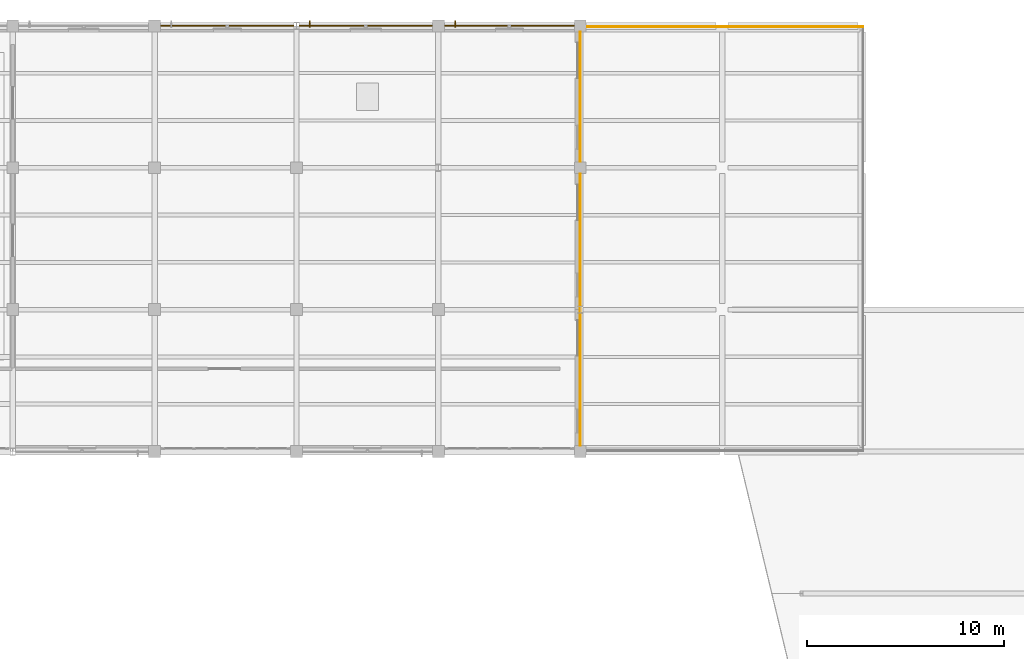
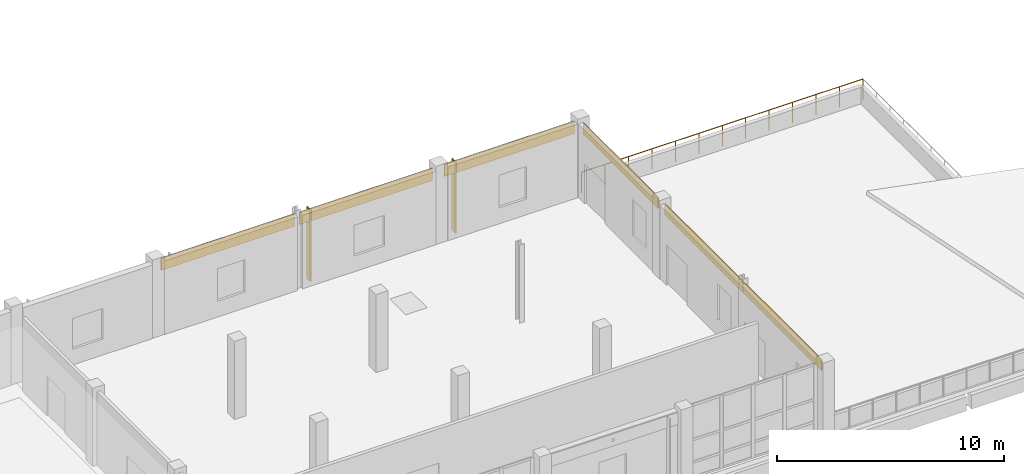
# One storey, part 93 of 94: 6 coverings, 2 shading devices, 1 railing.
"""IFC4 building model written with IfcOpenShell, lengths in metres."""

from ifc_helpers import new_model, si_unit, direction, frame, origin, origin_2d, place, context, subcontext, project, spatial, rectangle, circle, extrude, material, layer, layer_set, type_object, element, save


model = new_model("IFC4")

# Units and contexts
model_context = context("Model", 3, precision=1e-05, world=origin(), true_north=direction((0.0, 1.0)))
body_context = subcontext(model_context, "Body", "Model", "MODEL_VIEW")
ifc_project = project(units=[si_unit("LENGTHUNIT", "METRE"), si_unit("AREAUNIT", "SQUARE_METRE"), si_unit("VOLUMEUNIT", "CUBIC_METRE"), si_unit("PLANEANGLEUNIT", "RADIAN"), si_unit("MASSUNIT", "GRAM", prefix="KILO")], contexts=[model_context])

# Site, building, storey
site_placement = place(None, origin())
site = spatial("IfcSite", under=ifc_project, at=site_placement, CompositionType="ELEMENT")
building_placement = place(site_placement, origin())
building = spatial("IfcBuilding", under=site, at=building_placement, Name="Kalmorath City Hall", CompositionType="ELEMENT")
storey_placement = place(building_placement, frame((0.0, 0.0, 14.699951171875)))
storey = spatial("IfcBuildingStorey", under=building, at=storey_placement, Name="L03", CompositionType="ELEMENT", Elevation=14.699951171875)

# Shading devices
ifc_material_1 = material(Name="Bronze anodised aluminium", Category="aluminium")
ifc_layer_1 = layer(ifc_material_1, 0.06005859375)
ifc_layer_set_1 = layer_set([ifc_layer_1], Name="Bronze anodised aluminium")
shading_device_type = type_object("IfcShadingDeviceType", Name="Bronze vertical solar fin 320", PredefinedType="USERDEFINED", material=ifc_layer_set_1)
for number, where, z_axis, x_axis, name in (
    (1, (101.47802734375, 115.300048828125, 0.050048828125), (0.0, 0.0, 1.0), (1.0, 0.0, 0.0), "L03 bronze solar fin #332"),
    (2, (108.85107421875, 115.300048828125, 0.050048828125), (0.0, 0.0, 1.0), (1.0, 0.0, 0.0), "L03 bronze solar fin #333"),
):
    element("IfcShadingDevice", number, at=place(storey_placement, frame(where, z_axis=z_axis, x_axis=x_axis)), inside=storey, type_object=shading_device_type, Name=name, ObjectType="FIN", PredefinedType="USERDEFINED", context=body_context, shape_type="SweptSolid", body=[
        extrude(rectangle(XDim=0.06005859375, YDim=0.320068359375, at=origin_2d()), origin(), (0.0, 0.0, 1.0), 3.85009765625),
    ])

# Coverings
ifc_material_2 = material(Name="Hardwood timber cladding", Category="wood")
ifc_layer_2 = layer(ifc_material_2, 0.044921875)
ifc_layer_set_2 = layer_set([ifc_layer_2], Name="Hardwood timber cladding")
covering_type_1 = type_object("IfcCoveringType", Name="Hardwood recessed loggia wall cladding", PredefinedType="CLADDING", material=ifc_layer_set_2)
covering_1_placement = place(storey_placement, frame((115.195068359375, 111.60009765625, 3.330078125), z_axis=(0.0, 0.0, 1.0), x_axis=(0.0, -1.0, 0.0)))
element("IfcCovering", 3, at=covering_1_placement, inside=storey, type_object=covering_type_1, Name="L03 timber loggia lining #72", PredefinedType="CLADDING", context=body_context, shape_type="SweptSolid", body=[
    extrude(rectangle(XDim=6.597900390625, YDim=0.044921875, at=origin_2d()), origin(), (0.0, 0.0, 1.0), 0.60009765625),
])
for number, where, z_axis, x_axis, name in (
    (4, (115.195068359375, 104.24951171875, 3.330078125), (0.0, 0.0, 1.0), (0.0, -1.0, 0.0), "L03 timber loggia lining #73"),
    (5, (115.195068359375, 97.3505859375, 3.330078125), (0.0, 0.0, 1.0), (0.0, -1.0, 0.0), "L03 timber loggia lining #74"),
):
    element("IfcCovering", number, at=place(storey_placement, frame(where, z_axis=z_axis, x_axis=x_axis)), inside=storey, type_object=covering_type_1, Name=name, PredefinedType="CLADDING", context=body_context, shape_type="SweptSolid", body=[
        extrude(rectangle(XDim=6.89892578125, YDim=0.044921875, at=origin_2d()), origin(), (0.0, 0.0, 1.0), 0.60009765625),
    ])

# Railing
ifc_material_3 = material(Name="Stainless steel and laminated glass", Category="steel")
railing_type = type_object("IfcRailingType", Name="Outdoor terrace balustrade 1120", PredefinedType="BALUSTRADE", material=ifc_material_3)
railing_placement = place(storey_placement, frame((129.550048828125, 115.14990234375, 0.0)))
element("IfcRailing", 6, at=railing_placement, inside=storey, type_object=railing_type, Name="L03 Committee East Roof Terrace balustrade #7", PredefinedType="BALUSTRADE", context=body_context, shape_type="SweptSolid", body=[
    extrude(circle(Radius=0.02392578125, at=origin_2d()), frame((0.0, 0.0, 1.09619140625), z_axis=(-1.0, 0.0, 0.0), x_axis=(0.0, -1.0, 0.0)), (0.0, 0.0, 1.0), 14.300048828125),
    extrude(circle(Radius=0.02099609375, at=origin_2d()), origin(), (0.0, 0.0, 1.0), 1.072021484375),
    extrude(circle(Radius=0.02099609375, at=origin_2d()), frame((-1.191650390625, 0.0, 0.0)), (0.0, 0.0, 1.0), 1.072021484375),
    extrude(circle(Radius=0.02099609375, at=origin_2d()), frame((-2.38330078125, 0.0, 0.0)), (0.0, 0.0, 1.0), 1.072021484375),
    extrude(circle(Radius=0.02099609375, at=origin_2d()), frame((-3.574951171875, 0.0, 0.0)), (0.0, 0.0, 1.0), 1.072021484375),
    extrude(circle(Radius=0.02099609375, at=origin_2d()), frame((-4.7666015625, 0.0, 0.0)), (0.0, 0.0, 1.0), 1.072021484375),
    extrude(circle(Radius=0.02099609375, at=origin_2d()), frame((-5.958251953125, 0.0, 0.0)), (0.0, 0.0, 1.0), 1.072021484375),
    extrude(circle(Radius=0.02099609375, at=origin_2d()), frame((-7.14990234375, 0.0, 0.0)), (0.0, 0.0, 1.0), 1.072021484375),
    extrude(circle(Radius=0.02099609375, at=origin_2d()), frame((-8.341796875, 0.0, 0.0)), (0.0, 0.0, 1.0), 1.072021484375),
    extrude(circle(Radius=0.02099609375, at=origin_2d()), frame((-9.533447265625, 0.0, 0.0)), (0.0, 0.0, 1.0), 1.072021484375),
    extrude(circle(Radius=0.02099609375, at=origin_2d()), frame((-10.72509765625, 0.0, 0.0)), (0.0, 0.0, 1.0), 1.072021484375),
    extrude(circle(Radius=0.02099609375, at=origin_2d()), frame((-11.916748046875, 0.0, 0.0)), (0.0, 0.0, 1.0), 1.072021484375),
    extrude(circle(Radius=0.02099609375, at=origin_2d()), frame((-13.1083984375, 0.0, 0.0)), (0.0, 0.0, 1.0), 1.072021484375),
    extrude(circle(Radius=0.02099609375, at=origin_2d()), frame((-14.300048828125, 0.0, 0.0)), (0.0, 0.0, 1.0), 1.072021484375),
])

# Coverings
ifc_material_4 = material(Name="Volcanic basalt stone cladding", Category="masonry")
ifc_layer_3 = layer(ifc_material_4, 0.06005859375)
ifc_layer_set_3 = layer_set([ifc_layer_3], Name="Volcanic basalt stone cladding")
covering_type_2 = type_object("IfcCoveringType", Name="Volcanic basalt stone rainscreen cladding", PredefinedType="CLADDING", material=ifc_layer_set_3)
for number, where, z_axis, x_axis, name in (
    (7, (97.28662109375, 115.205078125, 3.275146484375), (0.0, 0.0, 1.0), (1.0, 0.0, 0.0), "L03 basalt spandrel cladding #69"),
    (8, (104.3134765625, 115.205078125, 3.275146484375), (0.0, 0.0, 1.0), (1.0, 0.0, 0.0), "L03 basalt spandrel cladding #70"),
):
    element("IfcCovering", number, at=place(storey_placement, frame(where, z_axis=z_axis, x_axis=x_axis)), inside=storey, type_object=covering_type_2, Name=name, PredefinedType="CLADDING", context=body_context, shape_type="SweptSolid", body=[
        extrude(rectangle(XDim=6.77099609375, YDim=0.06005859375, at=origin_2d()), origin(), (0.0, 0.0, 1.0), 0.64990234375),
    ])
covering_2_placement = place(storey_placement, frame((111.60009765625, 115.205078125, 3.275146484375), z_axis=(0.0, 0.0, 1.0), x_axis=(1.0, 0.0, 0.0)))
element("IfcCovering", 9, at=covering_2_placement, inside=storey, type_object=covering_type_2, Name="L03 basalt spandrel cladding #71", PredefinedType="CLADDING", context=body_context, shape_type="SweptSolid", body=[
    extrude(rectangle(XDim=6.597900390625, YDim=0.06005859375, at=origin_2d()), origin(), (0.0, 0.0, 1.0), 0.64990234375),
])

save(model, "model.ifc")
